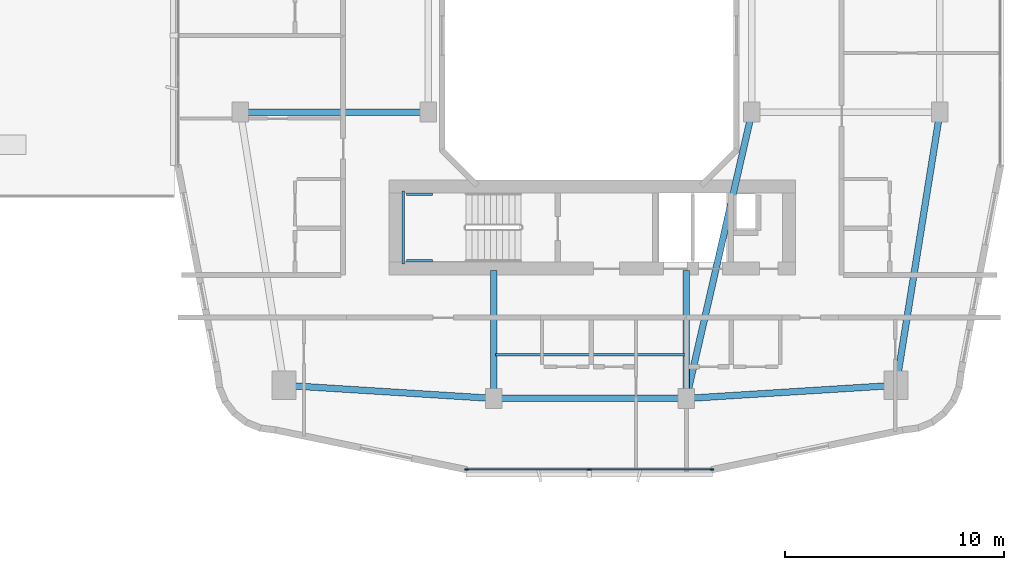
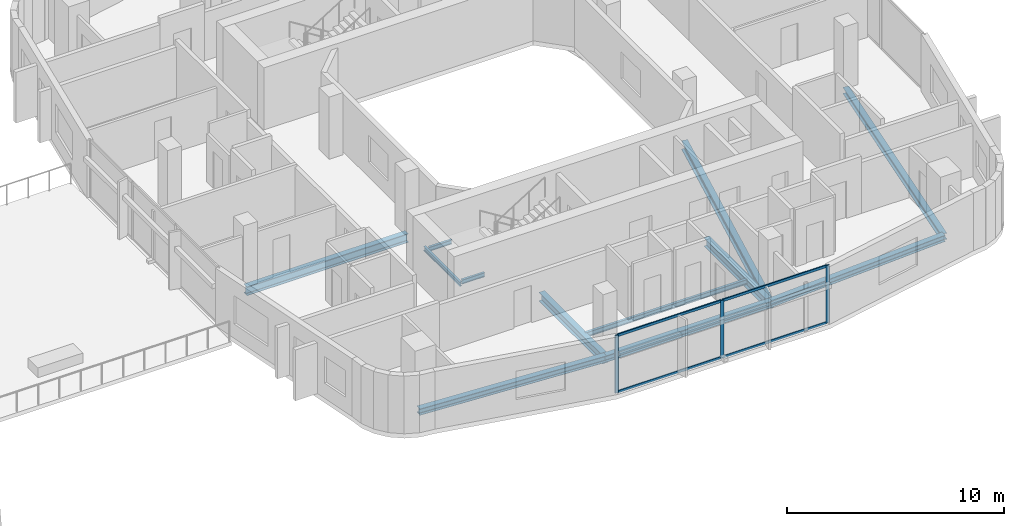
# One storey, part 7 of 25: 12 beams, 7 members, 1 element without a shape of its own.
"""IFC4 building model written with IfcOpenShell, lengths in metres."""

from ifc_helpers import new_model, si_unit, derived_unit, direction, frame, origin, origin_2d, place, context, subcontext, project, spatial, rectangle, i_section, extrude, material, layer, layer_set, material_profile, profile_set, type_object, element, aggregate, save


model = new_model("IFC4")

# Units and contexts
model_context = context("Model", 3, precision=1e-05, world=origin(), true_north=direction((0.0, 1.0)))
body_context = subcontext(model_context, "Body", "Model", "MODEL_VIEW")
ifc_project = project(units=[si_unit("LENGTHUNIT", "METRE"), si_unit("AREAUNIT", "SQUARE_METRE"), si_unit("VOLUMEUNIT", "CUBIC_METRE"), si_unit("PLANEANGLEUNIT", "RADIAN"), si_unit("MASSUNIT", "GRAM", prefix="KILO"), derived_unit("THERMALTRANSMITTANCEUNIT", [(si_unit("POWERUNIT", "WATT"), 1), (si_unit("LENGTHUNIT", "METRE"), -2), (si_unit("THERMODYNAMICTEMPERATUREUNIT", "KELVIN"), -1)])], contexts=[model_context])

# Site, building, storey
site_placement = place(None, origin())
site = spatial("IfcSite", under=ifc_project, at=site_placement, CompositionType="ELEMENT")
building_placement = place(site_placement, origin())
building = spatial("IfcBuilding", under=site, at=building_placement, Name="Kivonza Crest Hotel", CompositionType="ELEMENT")
storey_placement = place(building_placement, frame((0.0, 0.0, 24.0)))
storey = spatial("IfcBuildingStorey", under=building, at=storey_placement, Name="L05", CompositionType="ELEMENT", Elevation=24.0)

# Beams
ifc_material_1 = material(Name="Steel S355", Category="steel")
ifc_material_profile_1 = material_profile(ifc_material_1, i_section(OverallWidth=0.300048828125, OverallDepth=0.360107421875, WebThickness=0.012451171875, FlangeThickness=0.0224609375, FilletRadius=0.027099609375, at=origin_2d()), Name="HEB 360")
ifc_profile_set_1 = profile_set([ifc_material_profile_1], Name="Steel S355")
beam_type_1 = type_object("IfcBeamType", Name="BM-HEB360", PredefinedType="SPANDREL", material=ifc_profile_set_1)
beam_1_placement = place(storey_placement, frame((72.60009765625, 8.39990234375, -0.429931640625), z_axis=(1.0, 0.0, 0.0), x_axis=(0.0, 1.0, 0.0)))
element("IfcBeam", 1, at=beam_1_placement, inside=storey, type_object=beam_type_1, Name="Companion Tower T2 L05 perimeter spandrel S1-S2", PredefinedType="SPANDREL", context=body_context, shape_type="SweptSolid", body=[
    extrude(i_section(OverallWidth=0.300048828125, OverallDepth=0.360107421875, WebThickness=0.012451171875, FlangeThickness=0.0224609375, FilletRadius=0.027099609375, at=origin_2d()), origin(), (0.0, 0.0, 1.0), 8.7998046875),
])
beam_2_placement = place(storey_placement, frame((81.39990234375, 8.39990234375, -0.429931640625), z_axis=(0.998051985873, 0.062387767186, 0.0), x_axis=(-0.062387767186, 0.998051985873, 0.0)))
element("IfcBeam", 2, at=beam_2_placement, inside=storey, type_object=beam_type_1, Name="Companion Tower T2 L05 perimeter spandrel S2-SE", PredefinedType="SPANDREL", context=body_context, shape_type="SweptSolid", body=[
    extrude(i_section(OverallWidth=0.300048828125, OverallDepth=0.360107421875, WebThickness=0.012451171875, FlangeThickness=0.0224609375, FilletRadius=0.027099609375, at=origin_2d()), origin(), (0.0, 0.0, 1.0), 9.618896484375),
])
beam_3_placement = place(storey_placement, frame((91.0, 9.0, -0.429931640625), z_axis=(0.157990501107, 0.987440631917, 0.0), x_axis=(-0.987440631917, 0.157990501107, 0.0)))
element("IfcBeam", 3, at=beam_3_placement, inside=storey, type_object=beam_type_1, Name="Companion Tower T2 L05 perimeter spandrel SE-E1", PredefinedType="SPANDREL", context=body_context, shape_type="SweptSolid", body=[
    extrude(i_section(OverallWidth=0.300048828125, OverallDepth=0.360107421875, WebThickness=0.012451171875, FlangeThickness=0.0224609375, FilletRadius=0.027099609375, at=origin_2d()), origin(), (0.0, 0.0, 1.0), 12.658935546875),
])
beam_4_placement = place(storey_placement, frame((63.0, 9.0, -0.429931640625), z_axis=(0.998051985873, -0.062387767186, 0.0), x_axis=(0.062387767186, 0.998051985873, 0.0)))
element("IfcBeam", 4, at=beam_4_placement, inside=storey, type_object=beam_type_1, Name="Companion Tower T2 L05 perimeter spandrel SW-S1", PredefinedType="SPANDREL", context=body_context, shape_type="SweptSolid", body=[
    extrude(i_section(OverallWidth=0.300048828125, OverallDepth=0.360107421875, WebThickness=0.012451171875, FlangeThickness=0.0224609375, FilletRadius=0.027099609375, at=origin_2d()), origin(), (0.0, 0.0, 1.0), 9.618896484375),
])
ifc_material_profile_2 = material_profile(ifc_material_1, i_section(OverallWidth=0.300048828125, OverallDepth=0.5, WebThickness=0.014404296875, FlangeThickness=0.028076171875, FilletRadius=0.027099609375, at=origin_2d()), Name="HEB 500")
ifc_profile_set_2 = profile_set([ifc_material_profile_2], Name="Steel S355")
beam_type_2 = type_object("IfcBeamType", Name="BM-HEB500", PredefinedType="BEAM", material=ifc_profile_set_2)
beam_5_placement = place(storey_placement, frame((61.0, 21.5, -0.5), z_axis=(1.0, 0.0, 0.0), x_axis=(0.0, 1.0, 0.0)))
element("IfcBeam", 5, at=beam_5_placement, inside=storey, type_object=beam_type_2, Name="Companion Tower T2 L05 girder W1-WL1", PredefinedType="BEAM", context=body_context, shape_type="SweptSolid", body=[
    extrude(i_section(OverallWidth=0.300048828125, OverallDepth=0.5, WebThickness=0.014404296875, FlangeThickness=0.028076171875, FilletRadius=0.027099609375, at=origin_2d()), origin(), (0.0, 0.0, 1.0), 8.60009765625),
])
beam_6_placement = place(storey_placement, frame((84.39990234375, 21.5, -0.5), z_axis=(-0.223227287589, -0.974766422317, 0.0), x_axis=(0.974766422317, -0.223227287589, 0.0)))
element("IfcBeam", 6, at=beam_6_placement, inside=storey, type_object=beam_type_2, Name="Companion Tower T2 L05 girder WR1-S2", PredefinedType="BEAM", context=body_context, shape_type="SweptSolid", body=[
    extrude(i_section(OverallWidth=0.300048828125, OverallDepth=0.5, WebThickness=0.014404296875, FlangeThickness=0.028076171875, FilletRadius=0.027099609375, at=origin_2d()), origin(), (0.0, 0.0, 1.0), 13.439208984375),
])
for number, where, z_axis, x_axis, name in (
    (7, (72.60009765625, 8.39990234375, -0.5), (0.0, 1.0, 0.0), (-1.0, 0.0, 0.0), "Companion T2 L05 radial core girder RS1"),
    (8, (81.39990234375, 8.39990234375, -0.5), (0.0, 1.0, 0.0), (-1.0, 0.0, 0.0), "Companion T2 L05 radial core girder RS2"),
):
    element("IfcBeam", number, at=place(storey_placement, frame(where, z_axis=z_axis, x_axis=x_axis)), inside=storey, type_object=beam_type_2, Name=name, PredefinedType="BEAM", context=body_context, shape_type="SweptSolid", body=[
        extrude(i_section(OverallWidth=0.300048828125, OverallDepth=0.5, WebThickness=0.014404296875, FlangeThickness=0.028076171875, FilletRadius=0.027099609375, at=origin_2d()), origin(), (0.0, 0.0, 1.0), 5.85009765625),
    ])
ifc_material_profile_3 = material_profile(ifc_material_1, i_section(OverallWidth=0.135009765625, OverallDepth=0.27001953125, WebThickness=0.006591796875, FlangeThickness=0.01025390625, FilletRadius=0.014892578125, at=origin_2d()), Name="IPE 270")
ifc_profile_set_3 = profile_set([ifc_material_profile_3], Name="Steel S355")
beam_type_3 = type_object("IfcBeamType", Name="BM-IPE270", PredefinedType="JOIST", material=ifc_profile_set_3)
beam_7_placement = place(storey_placement, frame((72.679931640625, 10.39990234375, -0.385009765625), z_axis=(1.0, 0.0, 0.0), x_axis=(0.0, 1.0, 0.0)))
element("IfcBeam", 9, at=beam_7_placement, inside=storey, type_object=beam_type_3, Name="Companion Tower T2 L05 South floor joist", PredefinedType="JOIST", context=body_context, shape_type="SweptSolid", body=[
    extrude(i_section(OverallWidth=0.135009765625, OverallDepth=0.27001953125, WebThickness=0.006591796875, FlangeThickness=0.01025390625, FilletRadius=0.014892578125, at=origin_2d()), origin(), (0.0, 0.0, 1.0), 8.64013671875),
])
ifc_material_profile_4 = material_profile(ifc_material_1, i_section(OverallWidth=0.1201171875, OverallDepth=0.239990234375, WebThickness=0.006103515625, FlangeThickness=0.009765625, FilletRadius=0.014892578125, at=origin_2d()), Name="IPE 240")
ifc_profile_set_4 = profile_set([ifc_material_profile_4], Name="Steel S355")
beam_type_4 = type_object("IfcBeamType", Name="BM-LLDG-240", PredefinedType="BEAM", material=ifc_profile_set_4)
beam_8_placement = place(storey_placement, frame((68.4599609375, 14.5400390625, 1.429931640625), z_axis=(0.0, 1.0, 0.0), x_axis=(-1.0, 0.0, 0.0)))
element("IfcBeam", 10, at=beam_8_placement, inside=storey, type_object=beam_type_4, Name="Stair ST-T2-S L05 West landing corbel", PredefinedType="BEAM", context=body_context, shape_type="SweptSolid", body=[
    extrude(i_section(OverallWidth=0.1201171875, OverallDepth=0.239990234375, WebThickness=0.006103515625, FlangeThickness=0.009765625, FilletRadius=0.014892578125, at=origin_2d()), origin(), (0.0, 0.0, 1.0), 3.35986328125),
])
for number, where, z_axis, x_axis, name in (
    (11, (68.590087890625, 14.699951171875, 1.429931640625), (1.0, 0.0, 0.0), (0.0, 1.0, 0.0), "Stair ST-T2-S L05 South landing corbel"),
    (12, (68.590087890625, 17.739990234375, 1.429931640625), (1.0, 0.0, 0.0), (0.0, 1.0, 0.0), "Stair ST-T2-S L05 North landing corbel"),
):
    element("IfcBeam", number, at=place(storey_placement, frame(where, z_axis=z_axis, x_axis=x_axis)), inside=storey, type_object=beam_type_4, Name=name, PredefinedType="BEAM", context=body_context, shape_type="SweptSolid", body=[
        extrude(i_section(OverallWidth=0.1201171875, OverallDepth=0.239990234375, WebThickness=0.006103515625, FlangeThickness=0.009765625, FilletRadius=0.014892578125, at=origin_2d()), origin(), (0.0, 0.0, 1.0), 1.2099609375),
    ])

# Curtain wall, members
ifc_material_2 = material(Name="Anodised bronze aluminium and low-E double glazing", Category="aluminium")
ifc_layer = layer(ifc_material_2, 0.179931640625)
ifc_layer_set = layer_set([ifc_layer], Name="Anodised bronze aluminium and low-E double glazing")
curtain_wall_type = type_object("IfcCurtainWallType", Name="CW-SYS-4", PredefinedType="NOTDEFINED", material=ifc_layer_set)
curtain_wall_placement = place(storey_placement, origin())
curtain_wall = element("IfcCurtainWall", 13, at=curtain_wall_placement, inside=storey, type_object=curtain_wall_type, Name="L05 unitised curtain wall CW-T2-L05-08", PredefinedType="NOTDEFINED")
ifc_material_3 = material(Name="Anodised bronze aluminium", Category="aluminium")
ifc_material_profile_5 = material_profile(ifc_material_3, rectangle(XDim=0.06494140625, YDim=0.179931640625, at=origin_2d()), Name="CW-M 65x180")
ifc_profile_set_5 = profile_set([ifc_material_profile_5], Name="Anodised bronze aluminium")
member_type_1 = type_object("IfcMemberType", Name="CW-MUL-65x180", PredefinedType="MULLION", material=ifc_profile_set_5)
member_1_placement = place(storey_placement, frame((71.344482421875, 5.159912109375, 0.0), z_axis=(0.0, 0.0, 1.0), x_axis=(0.0, 1.0, 0.0)))
member_1 = element("IfcMember", 14, at=member_1_placement, type_object=member_type_1, Name="CW-4 mullion 1", PredefinedType="MULLION", context=body_context, shape_type="SweptSolid", body=[
    extrude(rectangle(XDim=0.06494140625, YDim=0.179931640625, at=origin_2d()), origin(), (0.0, 0.0, 1.0), 3.25),
])
member_2_placement = place(storey_placement, frame((76.9599609375, 5.159912109375, 0.0), z_axis=(0.0, 0.0, 1.0), x_axis=(0.0, 1.0, 0.0)))
member_2 = element("IfcMember", 15, at=member_2_placement, type_object=member_type_1, Name="CW-4 mullion 2", PredefinedType="MULLION", context=body_context, shape_type="SweptSolid", body=[
    extrude(rectangle(XDim=0.06494140625, YDim=0.179931640625, at=origin_2d()), origin(), (0.0, 0.0, 1.0), 3.25),
])
member_3_placement = place(storey_placement, frame((82.575439453125, 5.159912109375, 0.0), z_axis=(0.0, 0.0, 1.0), x_axis=(0.0, 1.0, 0.0)))
member_3 = element("IfcMember", 16, at=member_3_placement, type_object=member_type_1, Name="CW-4 mullion 3", PredefinedType="MULLION", context=body_context, shape_type="SweptSolid", body=[
    extrude(rectangle(XDim=0.06494140625, YDim=0.179931640625, at=origin_2d()), origin(), (0.0, 0.0, 1.0), 3.25),
])
ifc_material_profile_6 = material_profile(ifc_material_3, rectangle(XDim=0.06494140625, YDim=0.139892578125, at=origin_2d()), Name="CW-T 65x140")
ifc_profile_set_6 = profile_set([ifc_material_profile_6], Name="Anodised bronze aluminium")
member_type_2 = type_object("IfcMemberType", Name="CW-TRN-65x140", PredefinedType="USERDEFINED", material=ifc_profile_set_6)
member_4_placement = place(storey_placement, frame((71.376953125, 5.159912109375, 0.032470703125), z_axis=(1.0, 0.0, 0.0), x_axis=(0.0, 1.0, 0.0)))
member_4 = element("IfcMember", 17, at=member_4_placement, type_object=member_type_2, Name="CW-4 transom 1.1", ObjectType="TRANSOM", PredefinedType="USERDEFINED", context=body_context, shape_type="SweptSolid", body=[
    extrude(rectangle(XDim=0.06494140625, YDim=0.139892578125, at=origin_2d()), origin(), (0.0, 0.0, 1.0), 5.550537109375),
])
member_5_placement = place(storey_placement, frame((71.376953125, 5.159912109375, 3.217529296875), z_axis=(1.0, 0.0, 0.0), x_axis=(0.0, 1.0, 0.0)))
member_5 = element("IfcMember", 18, at=member_5_placement, type_object=member_type_2, Name="CW-4 transom 1.2", ObjectType="TRANSOM", PredefinedType="USERDEFINED", context=body_context, shape_type="SweptSolid", body=[
    extrude(rectangle(XDim=0.06494140625, YDim=0.139892578125, at=origin_2d()), origin(), (0.0, 0.0, 1.0), 5.550537109375),
])
member_6_placement = place(storey_placement, frame((76.992431640625, 5.159912109375, 0.032470703125), z_axis=(1.0, 0.0, 0.0), x_axis=(0.0, 1.0, 0.0)))
member_6 = element("IfcMember", 19, at=member_6_placement, type_object=member_type_2, Name="CW-4 transom 2.1", ObjectType="TRANSOM", PredefinedType="USERDEFINED", context=body_context, shape_type="SweptSolid", body=[
    extrude(rectangle(XDim=0.06494140625, YDim=0.139892578125, at=origin_2d()), origin(), (0.0, 0.0, 1.0), 5.550537109375),
])
member_7_placement = place(storey_placement, frame((76.992431640625, 5.159912109375, 3.217529296875), z_axis=(1.0, 0.0, 0.0), x_axis=(0.0, 1.0, 0.0)))
member_7 = element("IfcMember", 20, at=member_7_placement, type_object=member_type_2, Name="CW-4 transom 2.2", ObjectType="TRANSOM", PredefinedType="USERDEFINED", context=body_context, shape_type="SweptSolid", body=[
    extrude(rectangle(XDim=0.06494140625, YDim=0.139892578125, at=origin_2d()), origin(), (0.0, 0.0, 1.0), 5.550537109375),
])
aggregate(curtain_wall, [member_1, member_2, member_3, member_4, member_5, member_6, member_7])

save(model, "model.ifc")
